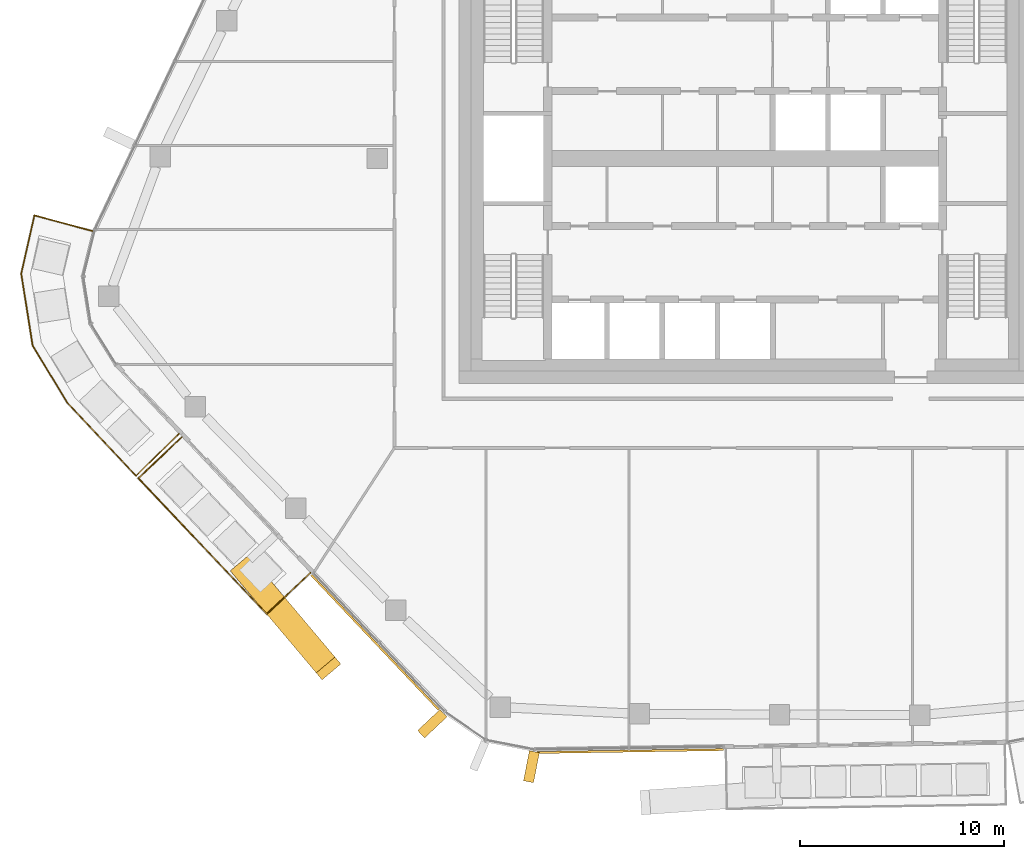
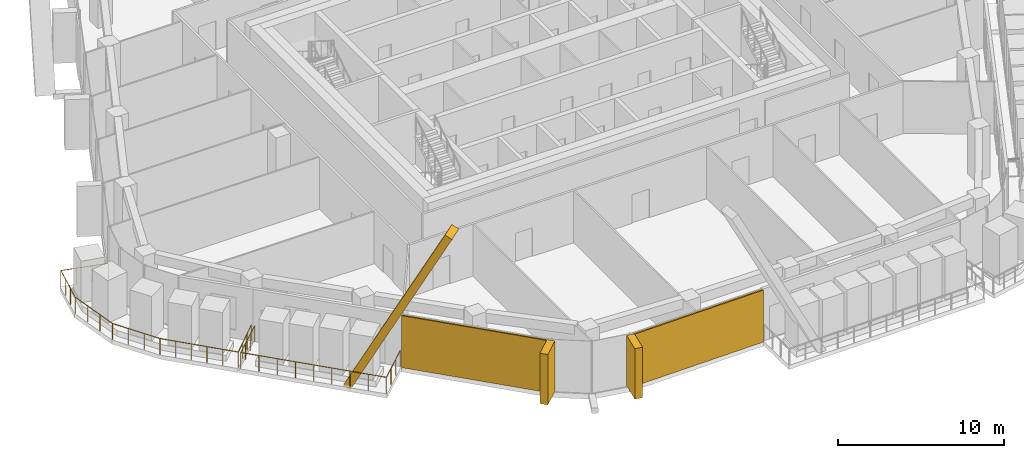
# One storey, part 18 of 24: 5 coverings, 2 railings, 3 elements without a shape of their own.
"""IFC4 building model written with IfcOpenShell, lengths in metres."""

import ifcopenshell
import ifcopenshell.guid

model = None  # the IFC model being written
_history = None  # IfcOwnerHistory: only IFC2X3 demands one
_inside = {}  # id of a spatial element -> (the spatial element, [elements in it])
_under = {}  # id of a project, library or spatial element -> (it, [spatial elements below it])
_declared = {}  # id of a project -> (the project, [libraries it declares])
_typed = {}  # id of a type object -> (the type object, [elements of that type])
_made_of = {}  # id of a material, layer set ... -> (it, [elements and type objects made of it])


def new_model(schema):
    """Start an empty IFC model of exactly this schema.

    Asked for "IFC4X3", IfcOpenShell would pick the latest addendum, in which some entities
    have other attributes; the version numbers below select the first issue.
    IFC2X3 requires an IfcOwnerHistory on every rooted entity: one is made here for all.
    """
    global model, _history
    if schema == "IFC4X3":
        model = ifcopenshell.file(schema_version=(4, 3, 0, 0))
    else:
        model = ifcopenshell.file(schema=schema)
    _inside.clear()
    _under.clear()
    _declared.clear()
    _typed.clear()
    _made_of.clear()
    _history = None
    if model.schema == "IFC2X3":
        org = make("IfcOrganization", Name="unknown")
        user = make(
            "IfcPersonAndOrganization",
            ThePerson=make("IfcPerson", FamilyName="unknown"),
            TheOrganization=org,
        )
        app = make(
            "IfcApplication",
            ApplicationDeveloper=org,
            Version="unknown",
            ApplicationFullName="unknown",
            ApplicationIdentifier="unknown",
        )
        _history = make(
            "IfcOwnerHistory",
            OwningUser=user,
            OwningApplication=app,
            ChangeAction="ADDED",
            CreationDate=0,
        )
    return model


def make(cls, **values):
    """One entity of the class cls with the attributes given. An attribute that is None is left unset."""
    return model.create_entity(
        cls, **{name: value for name, value in values.items() if value is not None}
    )


def rooted(cls, **values):
    """An entity with a GlobalId (a new one), such as an element, a storey or a relation."""
    return make(cls, GlobalId=ifcopenshell.guid.new(), OwnerHistory=_history, **values)


def si_unit(unit_type, name, prefix=None):
    """IfcSIUnit, for example si_unit("LENGTHUNIT", "METRE", prefix="MILLI")."""
    return make("IfcSIUnit", UnitType=unit_type, Prefix=prefix, Name=name)


def assignment(units):
    """IfcUnitAssignment: the units of a project."""
    return None if units is None else make("IfcUnitAssignment", Units=units)


def point(xyz):
    """IfcCartesianPoint."""
    return None if xyz is None else make("IfcCartesianPoint", Coordinates=xyz)


def direction(xyz):
    """IfcDirection."""
    return None if xyz is None else make("IfcDirection", DirectionRatios=xyz)


def frame(location, z_axis=None, x_axis=None):
    """IfcAxis2Placement3D, a coordinate frame: its origin and axes. An axis left out is left unset."""
    return make(
        "IfcAxis2Placement3D",
        Location=point(location),
        Axis=direction(z_axis),
        RefDirection=direction(x_axis),
    )


def frame_2d(location, x_axis=None):
    """IfcAxis2Placement2D, a coordinate frame in the plane: its origin and x axis."""
    return make(
        "IfcAxis2Placement2D", Location=point(location), RefDirection=direction(x_axis)
    )


def origin():
    """The frame at (0, 0, 0) with its axes left unset."""
    return frame((0.0, 0.0, 0.0))


def origin_2d():
    """The frame at (0, 0) in the plane with its x axis left unset."""
    return frame_2d((0.0, 0.0))


def place(relative_to, where):
    """IfcLocalPlacement: puts the frame where relative to a parent placement (None: the world)."""
    return make(
        "IfcLocalPlacement", PlacementRelTo=relative_to, RelativePlacement=where
    )


def context(
    kind, dimensions, precision=None, world=None, true_north=None, identifier=None
):
    """IfcGeometricRepresentationContext, for example the 3D "Model" context."""
    return make(
        "IfcGeometricRepresentationContext",
        ContextIdentifier=identifier,
        ContextType=kind,
        CoordinateSpaceDimension=dimensions,
        Precision=precision,
        WorldCoordinateSystem=world,
        TrueNorth=true_north,
    )


def subcontext(parent, identifier, kind, view, scale=None):
    """IfcGeometricRepresentationSubContext, for example "Body" below "Model"."""
    return make(
        "IfcGeometricRepresentationSubContext",
        ContextIdentifier=identifier,
        ContextType=kind,
        ParentContext=parent,
        TargetScale=scale,
        TargetView=view,
    )


def project(units=None, contexts=None):
    """IfcProject with its units and contexts."""
    return rooted(
        "IfcProject",
        Name="project",
        RepresentationContexts=contexts,
        UnitsInContext=assignment(units),
    )


def spatial(cls, under=None, at=None, **own):
    """A site, building, storey or space (cls), placed at a placement, below another one or the project."""
    s = rooted(cls, ObjectPlacement=at, **own)
    if under is not None:
        _under.setdefault(under.id(), (under, []))[1].append(s)
    return s


def profile(cls, at=None, kind="AREA", **sizes):
    """A parametric profile (cls). Its sizes go by their IFC names, for example OverallWidth=200.0."""
    return make(cls, ProfileType=kind, Position=at, **sizes)


def rectangle(**sizes):
    """IfcRectangleProfileDef."""
    return profile("IfcRectangleProfileDef", **sizes)


def circle(**sizes):
    """IfcCircleProfileDef."""
    return profile("IfcCircleProfileDef", **sizes)


def extrude(swept, where, along, depth):
    """IfcExtrudedAreaSolid: the profile swept, set in the frame where, extruded along a direction by depth."""
    return make(
        "IfcExtrudedAreaSolid",
        SweptArea=swept,
        Position=where,
        ExtrudedDirection=direction(along),
        Depth=depth,
    )


def shape(context_of_items, identifier, shape_type, items):
    """IfcShapeRepresentation: the items that make up one representation, for example the "Body"."""
    return make(
        "IfcShapeRepresentation",
        ContextOfItems=context_of_items,
        RepresentationIdentifier=identifier,
        RepresentationType=shape_type,
        Items=items,
    )


def material(Name=None, Category=None):
    """IfcMaterial."""
    return make("IfcMaterial", Name=Name, Category=Category)


def layer(
    of_material, thickness, ventilated=None, Name=None, Category=None, Priority=None
):
    """IfcMaterialLayer: one layer of a wall or slab, of a material (None: an air gap)."""
    return make(
        "IfcMaterialLayer",
        Material=of_material,
        LayerThickness=thickness,
        IsVentilated=ventilated,
        Name=Name,
        Category=Category,
        Priority=Priority,
    )


def layer_set(layers, Name=None):
    """IfcMaterialLayerSet."""
    return make("IfcMaterialLayerSet", MaterialLayers=layers, LayerSetName=Name)


def material_profile(
    of_material, cross_section, Name=None, Category=None, Priority=None
):
    """IfcMaterialProfile: a cross section and its material."""
    return make(
        "IfcMaterialProfile",
        Name=Name,
        Material=of_material,
        Profile=cross_section,
        Priority=Priority,
        Category=Category,
    )


def profile_set(profiles, Name=None, composite=None):
    """IfcMaterialProfileSet."""
    return make(
        "IfcMaterialProfileSet",
        Name=Name,
        MaterialProfiles=profiles,
        CompositeProfile=composite,
    )


def made_of(thing, what):
    """Note that an element or type object is made of a material, layer set ...; save() writes the relation."""
    if what is not None:
        _made_of.setdefault(what.id(), (what, []))[1].append(thing)
    return thing


def type_object(cls, material=None, **own):
    """A type object (cls), such as IfcWallType, which elements share."""
    return made_of(rooted(cls, **own), material)


def element(
    cls,
    number,
    at=None,
    inside=None,
    cuts=None,
    type_object=None,
    material=None,
    context=None,
    identifier="Body",
    shape_type=None,
    held_by="IfcProductDefinitionShape",
    body=None,
    shapes=None,
    **own,
):
    """One element of the class cls, such as IfcWall. Its Tag is "e" and its number.

    at: its placement. inside: the storey or other place that contains it. cuts: it is an
    opening in that element (IfcRelVoidsElement). A single representation is given by context,
    identifier, shape_type and body (its items); several are given by shapes. held_by: the class
    of the entity that holds the representations. save() writes the other relations.
    """
    e = rooted(cls, Tag="e%d" % number, ObjectPlacement=at, **own)
    if body is not None:
        shapes = [shape(context, identifier, shape_type, body)]
    if shapes is not None:
        e.Representation = make(held_by, Representations=shapes)
    if inside is not None:
        _inside.setdefault(inside.id(), (inside, []))[1].append(e)
    if cuts is not None:
        rooted(
            "IfcRelVoidsElement", RelatingBuildingElement=cuts, RelatedOpeningElement=e
        )
    if type_object is not None:
        _typed.setdefault(type_object.id(), (type_object, []))[1].append(e)
    return made_of(e, material)


def aggregate(whole, parts):
    """IfcRelAggregates: a whole, such as a stair, and the parts it consists of."""
    return rooted("IfcRelAggregates", RelatingObject=whole, RelatedObjects=parts)


def save(model, path):
    """Write the relations noted so far, then the file.

    IfcRelAggregates (storeys below a building ...), IfcRelContainedInSpatialStructure (elements
    in a storey), IfcRelDefinesByType, IfcRelAssociatesMaterial and IfcRelDeclares: one each for
    every whole, place, type object, material and project.
    """
    for whole, parts in _under.values():
        aggregate(whole, parts)
    for where, things in _inside.values():
        rooted(
            "IfcRelContainedInSpatialStructure",
            RelatedElements=things,
            RelatingStructure=where,
        )
    for kind, things in _typed.values():
        rooted("IfcRelDefinesByType", RelatedObjects=things, RelatingType=kind)
    for what, things in _made_of.values():
        rooted("IfcRelAssociatesMaterial", RelatedObjects=things, RelatingMaterial=what)
    for by, libraries in _declared.values():
        rooted("IfcRelDeclares", RelatingContext=by, RelatedDefinitions=libraries)
    model.write(path)


model = new_model("IFC4")

# Units and contexts
model_context = context("Model", 3, precision=1e-05, world=origin(), true_north=direction((0.0, 1.0)))
body_context = subcontext(model_context, "Body", "Model", "MODEL_VIEW")
ifc_project = project(units=[si_unit("LENGTHUNIT", "METRE"), si_unit("AREAUNIT", "SQUARE_METRE"), si_unit("VOLUMEUNIT", "CUBIC_METRE"), si_unit("PLANEANGLEUNIT", "RADIAN"), si_unit("MASSUNIT", "GRAM", prefix="KILO")], contexts=[model_context])

# Site, building, storey
site_placement = place(None, origin())
site = spatial("IfcSite", under=ifc_project, at=site_placement, CompositionType="ELEMENT")
building_placement = place(site_placement, origin())
building = spatial("IfcBuilding", under=site, at=building_placement, Name="Dongbaek Canopy Tower", CompositionType="ELEMENT")
storey_placement = place(building_placement, frame((0.0, 0.0, 298.39990234375)))
storey = spatial("IfcBuildingStorey", under=building, at=storey_placement, Name="L63", CompositionType="ELEMENT", Elevation=298.39990234375)

# Railings
ifc_material_1 = material(Name="Stainless steel", Category="steel")
railing_type = type_object("IfcRailingType", Name="Balcony balustrade 1200", PredefinedType="BALUSTRADE", material=ifc_material_1)
railing_1_placement = place(storey_placement, frame((-27.540283203125, -13.619384765625, 0.0)))
element("IfcRailing", 1, at=railing_1_placement, inside=storey, type_object=railing_type, Name="Balcony guard L63 3", PredefinedType="BALUSTRADE", context=body_context, shape_type="SweptSolid", body=[
    extrude(circle(Radius=0.02392578125, at=origin_2d()), frame((0.0, 0.0, 1.17578125), z_axis=(-0.726351881447, -0.687323027636, 0.0), x_axis=(0.687323027636, -0.726351881447, 0.0)), (0.0, 0.0, 1.0), 2.93994140625),
    extrude(circle(Radius=0.02392578125, at=origin_2d()), frame((-2.135498046875, -2.020751953125, 1.17578125), z_axis=(0.687311098706, -0.726363169217, 0.0), x_axis=(0.726363169217, 0.687311098706, 0.0)), (0.0, 0.0, 1.0), 9.139892578125),
    extrude(circle(Radius=0.02392578125, at=origin_2d()), frame((4.146484375, -8.65966796875, 1.17578125), z_axis=(0.726351881447, 0.687323027636, 0.0), x_axis=(-0.687323027636, 0.726351881447, 0.0)), (0.0, 0.0, 1.0), 2.93994140625),
    extrude(circle(Radius=0.02099609375, at=origin_2d()), origin(), (0.0, 0.0, 1.0), 1.15185546875),
    extrude(circle(Radius=0.02099609375, at=origin_2d()), frame((-0.7119140625, -0.673583984375, 0.0)), (0.0, 0.0, 1.0), 1.15185546875),
    extrude(circle(Radius=0.02099609375, at=origin_2d()), frame((-1.423583984375, -1.34716796875, 0.0)), (0.0, 0.0, 1.0), 1.15185546875),
    extrude(circle(Radius=0.02099609375, at=origin_2d()), frame((-2.135498046875, -2.020751953125, 0.0)), (0.0, 0.0, 1.0), 1.15185546875),
    extrude(circle(Radius=0.02099609375, at=origin_2d()), frame((-1.350341796875, -2.8505859375, 0.0)), (0.0, 0.0, 1.0), 1.15185546875),
    extrude(circle(Radius=0.02099609375, at=origin_2d()), frame((-0.56494140625, -3.680419921875, 0.0)), (0.0, 0.0, 1.0), 1.15185546875),
    extrude(circle(Radius=0.02099609375, at=origin_2d()), frame((0.22021484375, -4.51025390625, 0.0)), (0.0, 0.0, 1.0), 1.15185546875),
    extrude(circle(Radius=0.02099609375, at=origin_2d()), frame((1.00537109375, -5.34033203125, 0.0)), (0.0, 0.0, 1.0), 1.15185546875),
    extrude(circle(Radius=0.02099609375, at=origin_2d()), frame((1.790771484375, -6.170166015625, 0.0)), (0.0, 0.0, 1.0), 1.15185546875),
    extrude(circle(Radius=0.02099609375, at=origin_2d()), frame((2.575927734375, -7.0, 0.0)), (0.0, 0.0, 1.0), 1.15185546875),
    extrude(circle(Radius=0.02099609375, at=origin_2d()), frame((3.361328125, -7.829833984375, 0.0)), (0.0, 0.0, 1.0), 1.15185546875),
    extrude(circle(Radius=0.02099609375, at=origin_2d()), frame((4.146484375, -8.65966796875, 0.0)), (0.0, 0.0, 1.0), 1.15185546875),
    extrude(circle(Radius=0.02099609375, at=origin_2d()), frame((4.8583984375, -7.986083984375, 0.0)), (0.0, 0.0, 1.0), 1.15185546875),
    extrude(circle(Radius=0.02099609375, at=origin_2d()), frame((5.570068359375, -7.3125, 0.0)), (0.0, 0.0, 1.0), 1.15185546875),
    extrude(circle(Radius=0.02099609375, at=origin_2d()), frame((6.281982421875, -6.638916015625, 0.0)), (0.0, 0.0, 1.0), 1.15185546875),
])
railing_2_placement = place(storey_placement, frame((-31.92041015625, -3.548095703125, 0.0)))
element("IfcRailing", 2, at=railing_2_placement, inside=storey, type_object=railing_type, Name="Balcony guard L63 7", PredefinedType="BALUSTRADE", context=body_context, shape_type="SweptSolid", body=[
    extrude(circle(Radius=0.02392578125, at=origin_2d()), frame((0.0, 0.0, 1.17578125), z_axis=(-0.965425530821, 0.260679006516, 0.0), x_axis=(-0.260679006516, -0.965425530821, 0.0)), (0.0, 0.0, 1.0), 2.940673828125),
    extrude(circle(Radius=0.02392578125, at=origin_2d()), frame((-2.839111328125, 0.7666015625, 1.17578125), z_axis=(-0.221343008354, -0.975196017554, 0.0), x_axis=(0.975196017554, -0.221343008354, 0.0)), (0.0, 0.0, 1.0), 2.921875),
    extrude(circle(Radius=0.02392578125, at=origin_2d()), frame((-3.48583984375, -2.082763671875, 1.17578125), z_axis=(0.156456100519, -0.987684913629, 0.0), x_axis=(0.987684913629, 0.156456100519, 0.0)), (0.0, 0.0, 1.0), 3.55615234375),
    extrude(circle(Radius=0.02392578125, at=origin_2d()), frame((-2.929443359375, -5.59521484375, 1.17578125), z_axis=(0.51765867855, -0.855587220873, 0.0), x_axis=(0.855587220873, 0.51765867855, 0.0)), (0.0, 0.0, 1.0), 3.265625),
    extrude(circle(Radius=0.02392578125, at=origin_2d()), frame((-1.239013671875, -8.38916015625, 1.17578125), z_axis=(0.685132672139, -0.72841830123, 0.0), x_axis=(0.72841830123, 0.685132672139, 0.0)), (0.0, 0.0, 1.0), 4.923828125),
    extrude(circle(Radius=0.02392578125, at=origin_2d()), frame((2.134521484375, -11.975830078125, 1.17578125), z_axis=(0.712152918215, 0.702024373564, 0.0), x_axis=(-0.702024373564, 0.712152918215, 0.0)), (0.0, 0.0, 1.0), 2.940673828125),
    extrude(circle(Radius=0.02099609375, at=origin_2d()), origin(), (0.0, 0.0, 1.0), 1.15185546875),
    extrude(circle(Radius=0.02099609375, at=origin_2d()), frame((-0.9462890625, 0.255615234375, 0.0)), (0.0, 0.0, 1.0), 1.15185546875),
    extrude(circle(Radius=0.02099609375, at=origin_2d()), frame((-1.892822265625, 0.510986328125, 0.0)), (0.0, 0.0, 1.0), 1.15185546875),
    extrude(circle(Radius=0.02099609375, at=origin_2d()), frame((-2.839111328125, 0.7666015625, 0.0)), (0.0, 0.0, 1.0), 1.15185546875),
    extrude(circle(Radius=0.02099609375, at=origin_2d()), frame((-3.0546875, -0.18310546875, 0.0)), (0.0, 0.0, 1.0), 1.15185546875),
    extrude(circle(Radius=0.02099609375, at=origin_2d()), frame((-3.270263671875, -1.133056640625, 0.0)), (0.0, 0.0, 1.0), 1.15185546875),
    extrude(circle(Radius=0.02099609375, at=origin_2d()), frame((-3.48583984375, -2.082763671875, 0.0)), (0.0, 0.0, 1.0), 1.15185546875),
    extrude(circle(Radius=0.02099609375, at=origin_2d()), frame((-3.30029296875, -3.253662109375, 0.0)), (0.0, 0.0, 1.0), 1.15185546875),
    extrude(circle(Radius=0.02099609375, at=origin_2d()), frame((-3.114990234375, -4.42431640625, 0.0)), (0.0, 0.0, 1.0), 1.15185546875),
    extrude(circle(Radius=0.02099609375, at=origin_2d()), frame((-2.929443359375, -5.59521484375, 0.0)), (0.0, 0.0, 1.0), 1.15185546875),
    extrude(circle(Radius=0.02099609375, at=origin_2d()), frame((-2.365966796875, -6.526611328125, 0.0)), (0.0, 0.0, 1.0), 1.15185546875),
    extrude(circle(Radius=0.02099609375, at=origin_2d()), frame((-1.802490234375, -7.457763671875, 0.0)), (0.0, 0.0, 1.0), 1.15185546875),
    extrude(circle(Radius=0.02099609375, at=origin_2d()), frame((-1.239013671875, -8.38916015625, 0.0)), (0.0, 0.0, 1.0), 1.15185546875),
    extrude(circle(Radius=0.02099609375, at=origin_2d()), frame((-0.564208984375, -9.1064453125, 0.0)), (0.0, 0.0, 1.0), 1.15185546875),
    extrude(circle(Radius=0.02099609375, at=origin_2d()), frame((0.1103515625, -9.82373046875, 0.0)), (0.0, 0.0, 1.0), 1.15185546875),
    extrude(circle(Radius=0.02099609375, at=origin_2d()), frame((0.78515625, -10.541259765625, 0.0)), (0.0, 0.0, 1.0), 1.15185546875),
    extrude(circle(Radius=0.02099609375, at=origin_2d()), frame((1.459716796875, -11.258544921875, 0.0)), (0.0, 0.0, 1.0), 1.15185546875),
    extrude(circle(Radius=0.02099609375, at=origin_2d()), frame((2.134521484375, -11.975830078125, 0.0)), (0.0, 0.0, 1.0), 1.15185546875),
    extrude(circle(Radius=0.02099609375, at=origin_2d()), frame((2.83251953125, -11.28759765625, 0.0)), (0.0, 0.0, 1.0), 1.15185546875),
    extrude(circle(Radius=0.02099609375, at=origin_2d()), frame((3.53076171875, -10.599609375, 0.0)), (0.0, 0.0, 1.0), 1.15185546875),
    extrude(circle(Radius=0.02099609375, at=origin_2d()), frame((4.228759765625, -9.911376953125, 0.0)), (0.0, 0.0, 1.0), 1.15185546875),
])

# Curtain wall, coverings
ifc_material_2 = material(Name="Aluminium 6063-T6 pale anodised", Category="aluminium")
ifc_layer_1 = layer(ifc_material_2, 0.199951171875)
ifc_layer_set_1 = layer_set([ifc_layer_1], Name="CW-1 unitised tower curtain wall")
curtain_wall_type = type_object("IfcCurtainWallType", Name="CW-1 unitised tower curtain wall", PredefinedType="NOTDEFINED", material=ifc_layer_set_1)
curtain_wall_1_placement = place(storey_placement, origin())
curtain_wall_1 = element("IfcCurtainWall", 3, at=curtain_wall_1_placement, inside=storey, type_object=curtain_wall_type, Name="CW-1 curtain wall F3.1", PredefinedType="NOTDEFINED")
ifc_material_3 = material(Name="Aluminium 6063-T6 pale metal fin", Category="aluminium")
ifc_material_profile_1 = material_profile(ifc_material_3, rectangle(XDim=1.199951171875, YDim=0.5, at=origin_2d()), Name="Crease fin CF1 500 x 1200 pale metal")
ifc_profile_set_1 = profile_set([ifc_material_profile_1], Name="Aluminium 6063-T6 pale metal fin")
covering_type_1 = type_object("IfcCoveringType", Name="Crease fin CF1 500 x 1200 pale metal", PredefinedType="CLADDING", material=ifc_profile_set_1)
covering_1_placement = place(storey_placement, frame((-24.582275390625, -19.94970703125, -0.18994140625), z_axis=(0.296444519607, -0.351773030724, 0.887905615282), x_axis=(0.764681304961, 0.644408645072, 0.0)))
covering_1 = element("IfcCovering", 4, at=covering_1_placement, type_object=covering_type_1, Name="Crease fin L63 L66 F3", PredefinedType="CLADDING", context=body_context, shape_type="SweptSolid", body=[
    extrude(rectangle(XDim=1.199951171875, YDim=0.5, at=origin_2d()), origin(), (0.0, 0.0, 1.0), 14.19091796875),
])
ifc_material_4 = material(Name="Perforated aluminium 6063-T6 pale metal screen", Category="aluminium")
ifc_layer_2 = layer(ifc_material_4, 0.10009765625)
ifc_layer_set_2 = layer_set([ifc_layer_2], Name="Facet screen FS1 100 pale metal")
covering_type_2 = type_object("IfcCoveringType", Name="Facet screen FS1 100 pale metal", PredefinedType="CLADDING", material=ifc_layer_set_2)
covering_2_placement = place(storey_placement, frame((-18.1025390625, -23.66015625, 0.0), z_axis=(0.0, 0.0, 1.0), x_axis=(0.687319540255, -0.726355181425, 0.0)))
covering_2 = element("IfcCovering", 5, at=covering_2_placement, type_object=covering_type_2, Name="Facet screen L63 F3", PredefinedType="CLADDING", context=body_context, shape_type="SweptSolid", body=[
    extrude(rectangle(XDim=9.059814453125, YDim=0.10009765625, at=origin_2d()), origin(), (0.0, 0.0, 1.0), 3.820068359375),
])

# Curtain wall, covering
curtain_wall_2_placement = place(storey_placement, origin())
curtain_wall_2 = element("IfcCurtainWall", 6, at=curtain_wall_2_placement, inside=storey, type_object=curtain_wall_type, Name="CW-1 curtain wall F4.1", PredefinedType="NOTDEFINED")
covering_3_placement = place(storey_placement, frame((-5.61181640625, -28.98486328125, 0.0), z_axis=(0.0, 0.0, 1.0), x_axis=(0.999876988612, 0.015684630827, 0.0)))
covering_3 = element("IfcCovering", 7, at=covering_3_placement, type_object=covering_type_2, Name="Facet screen L63 F4", PredefinedType="CLADDING", context=body_context, shape_type="SweptSolid", body=[
    extrude(rectangle(XDim=9.119384765625, YDim=0.10009765625, at=origin_2d()), origin(), (0.0, 0.0, 1.0), 3.820068359375),
])
aggregate(curtain_wall_2, [covering_3])

# Covering
ifc_material_5 = material(Name="Aluminium 6063-T6 pale metal fin", Category="aluminium")
ifc_material_profile_2 = material_profile(ifc_material_5, rectangle(XDim=1.5, YDim=0.5, at=origin_2d()), Name="Fin FN1 500 x 1500 pale metal")
ifc_profile_set_2 = profile_set([ifc_material_profile_2], Name="Aluminium 6063-T6 pale metal fin")
covering_type_3 = type_object("IfcCoveringType", Name="Fin FN1 500 x 1500 pale metal", PredefinedType="CLADDING", material=ifc_profile_set_2)
covering_4_placement = place(storey_placement, frame((-15.30126953125, -27.644775390625, 0.1201171875), z_axis=(0.0, 0.0, 1.0), x_axis=(-0.72635486076, -0.687319879132, 0.0)))
covering_4 = element("IfcCovering", 8, at=covering_4_placement, type_object=covering_type_3, Name="Fin F3.1.3", PredefinedType="CLADDING", context=body_context, shape_type="SweptSolid", body=[
    extrude(rectangle(XDim=1.5, YDim=0.5, at=origin_2d()), origin(), (0.0, 0.0, 1.0), 3.699951171875),
])

aggregate(curtain_wall_1, [covering_4, covering_1, covering_2])

# Curtain wall, covering
curtain_wall_3_placement = place(storey_placement, origin())
curtain_wall_3 = element("IfcCurtainWall", 9, at=curtain_wall_3_placement, inside=storey, type_object=curtain_wall_type, Name="CW-1 curtain wall K4.1", PredefinedType="NOTDEFINED")
covering_5_placement = place(storey_placement, frame((-10.449951171875, -29.74658203125, 0.1201171875), z_axis=(0.0, 0.0, 1.0), x_axis=(-0.190319354711, -0.981722233232, 0.0)))
covering_5 = element("IfcCovering", 10, at=covering_5_placement, type_object=covering_type_3, Name="Fin K4.1.3", PredefinedType="CLADDING", context=body_context, shape_type="SweptSolid", body=[
    extrude(rectangle(XDim=1.5, YDim=0.5, at=origin_2d()), origin(), (0.0, 0.0, 1.0), 3.699951171875),
])
aggregate(curtain_wall_3, [covering_5])

save(model, "model.ifc")
